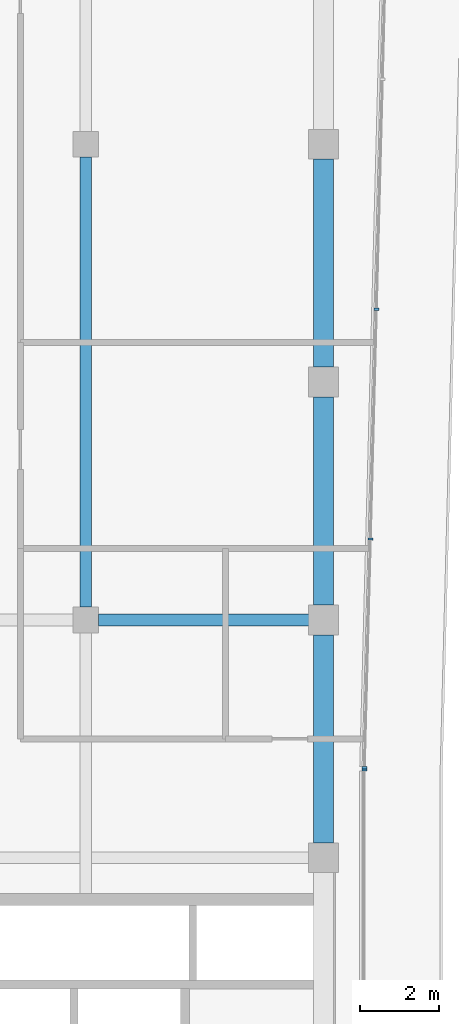
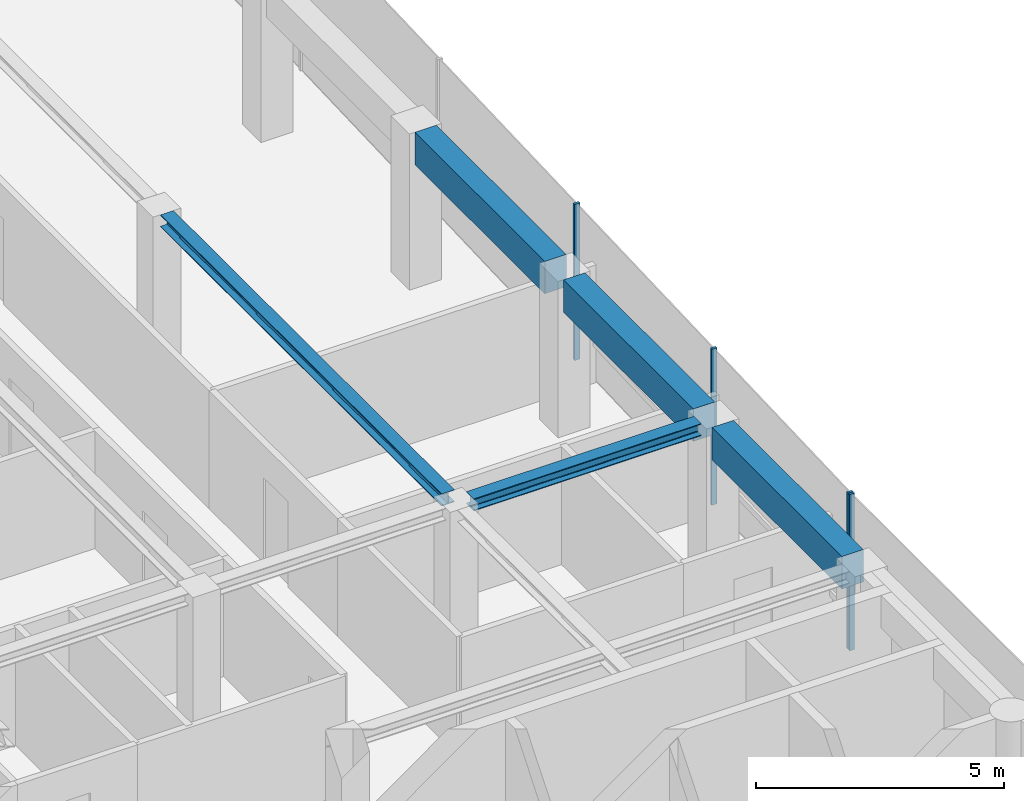
# One storey, part 7 of 18: 5 beams, 4 members, 2 elements without a shape of their own.
"""IFC4 building model written with IfcOpenShell, lengths in metres."""

import ifcopenshell
import ifcopenshell.guid

model = None  # the IFC model being written
_history = None  # IfcOwnerHistory: only IFC2X3 demands one
_inside = {}  # id of a spatial element -> (the spatial element, [elements in it])
_under = {}  # id of a project, library or spatial element -> (it, [spatial elements below it])
_declared = {}  # id of a project -> (the project, [libraries it declares])
_typed = {}  # id of a type object -> (the type object, [elements of that type])
_made_of = {}  # id of a material, layer set ... -> (it, [elements and type objects made of it])


def new_model(schema):
    """Start an empty IFC model of exactly this schema.

    Asked for "IFC4X3", IfcOpenShell would pick the latest addendum, in which some entities
    have other attributes; the version numbers below select the first issue.
    IFC2X3 requires an IfcOwnerHistory on every rooted entity: one is made here for all.
    """
    global model, _history
    if schema == "IFC4X3":
        model = ifcopenshell.file(schema_version=(4, 3, 0, 0))
    else:
        model = ifcopenshell.file(schema=schema)
    _inside.clear()
    _under.clear()
    _declared.clear()
    _typed.clear()
    _made_of.clear()
    _history = None
    if model.schema == "IFC2X3":
        org = make("IfcOrganization", Name="unknown")
        user = make(
            "IfcPersonAndOrganization",
            ThePerson=make("IfcPerson", FamilyName="unknown"),
            TheOrganization=org,
        )
        app = make(
            "IfcApplication",
            ApplicationDeveloper=org,
            Version="unknown",
            ApplicationFullName="unknown",
            ApplicationIdentifier="unknown",
        )
        _history = make(
            "IfcOwnerHistory",
            OwningUser=user,
            OwningApplication=app,
            ChangeAction="ADDED",
            CreationDate=0,
        )
    return model


def make(cls, **values):
    """One entity of the class cls with the attributes given. An attribute that is None is left unset."""
    return model.create_entity(
        cls, **{name: value for name, value in values.items() if value is not None}
    )


def rooted(cls, **values):
    """An entity with a GlobalId (a new one), such as an element, a storey or a relation."""
    return make(cls, GlobalId=ifcopenshell.guid.new(), OwnerHistory=_history, **values)


def si_unit(unit_type, name, prefix=None):
    """IfcSIUnit, for example si_unit("LENGTHUNIT", "METRE", prefix="MILLI")."""
    return make("IfcSIUnit", UnitType=unit_type, Prefix=prefix, Name=name)


def assignment(units):
    """IfcUnitAssignment: the units of a project."""
    return None if units is None else make("IfcUnitAssignment", Units=units)


def point(xyz):
    """IfcCartesianPoint."""
    return None if xyz is None else make("IfcCartesianPoint", Coordinates=xyz)


def direction(xyz):
    """IfcDirection."""
    return None if xyz is None else make("IfcDirection", DirectionRatios=xyz)


def frame(location, z_axis=None, x_axis=None):
    """IfcAxis2Placement3D, a coordinate frame: its origin and axes. An axis left out is left unset."""
    return make(
        "IfcAxis2Placement3D",
        Location=point(location),
        Axis=direction(z_axis),
        RefDirection=direction(x_axis),
    )


def frame_2d(location, x_axis=None):
    """IfcAxis2Placement2D, a coordinate frame in the plane: its origin and x axis."""
    return make(
        "IfcAxis2Placement2D", Location=point(location), RefDirection=direction(x_axis)
    )


def origin():
    """The frame at (0, 0, 0) with its axes left unset."""
    return frame((0.0, 0.0, 0.0))


def origin_2d():
    """The frame at (0, 0) in the plane with its x axis left unset."""
    return frame_2d((0.0, 0.0))


def place(relative_to, where):
    """IfcLocalPlacement: puts the frame where relative to a parent placement (None: the world)."""
    return make(
        "IfcLocalPlacement", PlacementRelTo=relative_to, RelativePlacement=where
    )


def context(
    kind, dimensions, precision=None, world=None, true_north=None, identifier=None
):
    """IfcGeometricRepresentationContext, for example the 3D "Model" context."""
    return make(
        "IfcGeometricRepresentationContext",
        ContextIdentifier=identifier,
        ContextType=kind,
        CoordinateSpaceDimension=dimensions,
        Precision=precision,
        WorldCoordinateSystem=world,
        TrueNorth=true_north,
    )


def subcontext(parent, identifier, kind, view, scale=None):
    """IfcGeometricRepresentationSubContext, for example "Body" below "Model"."""
    return make(
        "IfcGeometricRepresentationSubContext",
        ContextIdentifier=identifier,
        ContextType=kind,
        ParentContext=parent,
        TargetScale=scale,
        TargetView=view,
    )


def project(units=None, contexts=None):
    """IfcProject with its units and contexts."""
    return rooted(
        "IfcProject",
        Name="project",
        RepresentationContexts=contexts,
        UnitsInContext=assignment(units),
    )


def spatial(cls, under=None, at=None, **own):
    """A site, building, storey or space (cls), placed at a placement, below another one or the project."""
    s = rooted(cls, ObjectPlacement=at, **own)
    if under is not None:
        _under.setdefault(under.id(), (under, []))[1].append(s)
    return s


def profile(cls, at=None, kind="AREA", **sizes):
    """A parametric profile (cls). Its sizes go by their IFC names, for example OverallWidth=200.0."""
    return make(cls, ProfileType=kind, Position=at, **sizes)


def rectangle(**sizes):
    """IfcRectangleProfileDef."""
    return profile("IfcRectangleProfileDef", **sizes)


def i_section(**sizes):
    """IfcIShapeProfileDef."""
    return profile("IfcIShapeProfileDef", **sizes)


def extrude(swept, where, along, depth):
    """IfcExtrudedAreaSolid: the profile swept, set in the frame where, extruded along a direction by depth."""
    return make(
        "IfcExtrudedAreaSolid",
        SweptArea=swept,
        Position=where,
        ExtrudedDirection=direction(along),
        Depth=depth,
    )


def shape(context_of_items, identifier, shape_type, items):
    """IfcShapeRepresentation: the items that make up one representation, for example the "Body"."""
    return make(
        "IfcShapeRepresentation",
        ContextOfItems=context_of_items,
        RepresentationIdentifier=identifier,
        RepresentationType=shape_type,
        Items=items,
    )


def material(Name=None, Category=None):
    """IfcMaterial."""
    return make("IfcMaterial", Name=Name, Category=Category)


def layer(
    of_material, thickness, ventilated=None, Name=None, Category=None, Priority=None
):
    """IfcMaterialLayer: one layer of a wall or slab, of a material (None: an air gap)."""
    return make(
        "IfcMaterialLayer",
        Material=of_material,
        LayerThickness=thickness,
        IsVentilated=ventilated,
        Name=Name,
        Category=Category,
        Priority=Priority,
    )


def layer_set(layers, Name=None):
    """IfcMaterialLayerSet."""
    return make("IfcMaterialLayerSet", MaterialLayers=layers, LayerSetName=Name)


def material_profile(
    of_material, cross_section, Name=None, Category=None, Priority=None
):
    """IfcMaterialProfile: a cross section and its material."""
    return make(
        "IfcMaterialProfile",
        Name=Name,
        Material=of_material,
        Profile=cross_section,
        Priority=Priority,
        Category=Category,
    )


def profile_set(profiles, Name=None, composite=None):
    """IfcMaterialProfileSet."""
    return make(
        "IfcMaterialProfileSet",
        Name=Name,
        MaterialProfiles=profiles,
        CompositeProfile=composite,
    )


def made_of(thing, what):
    """Note that an element or type object is made of a material, layer set ...; save() writes the relation."""
    if what is not None:
        _made_of.setdefault(what.id(), (what, []))[1].append(thing)
    return thing


def type_object(cls, material=None, **own):
    """A type object (cls), such as IfcWallType, which elements share."""
    return made_of(rooted(cls, **own), material)


def element(
    cls,
    number,
    at=None,
    inside=None,
    cuts=None,
    type_object=None,
    material=None,
    context=None,
    identifier="Body",
    shape_type=None,
    held_by="IfcProductDefinitionShape",
    body=None,
    shapes=None,
    **own,
):
    """One element of the class cls, such as IfcWall. Its Tag is "e" and its number.

    at: its placement. inside: the storey or other place that contains it. cuts: it is an
    opening in that element (IfcRelVoidsElement). A single representation is given by context,
    identifier, shape_type and body (its items); several are given by shapes. held_by: the class
    of the entity that holds the representations. save() writes the other relations.
    """
    e = rooted(cls, Tag="e%d" % number, ObjectPlacement=at, **own)
    if body is not None:
        shapes = [shape(context, identifier, shape_type, body)]
    if shapes is not None:
        e.Representation = make(held_by, Representations=shapes)
    if inside is not None:
        _inside.setdefault(inside.id(), (inside, []))[1].append(e)
    if cuts is not None:
        rooted(
            "IfcRelVoidsElement", RelatingBuildingElement=cuts, RelatedOpeningElement=e
        )
    if type_object is not None:
        _typed.setdefault(type_object.id(), (type_object, []))[1].append(e)
    return made_of(e, material)


def aggregate(whole, parts):
    """IfcRelAggregates: a whole, such as a stair, and the parts it consists of."""
    return rooted("IfcRelAggregates", RelatingObject=whole, RelatedObjects=parts)


def save(model, path):
    """Write the relations noted so far, then the file.

    IfcRelAggregates (storeys below a building ...), IfcRelContainedInSpatialStructure (elements
    in a storey), IfcRelDefinesByType, IfcRelAssociatesMaterial and IfcRelDeclares: one each for
    every whole, place, type object, material and project.
    """
    for whole, parts in _under.values():
        aggregate(whole, parts)
    for where, things in _inside.values():
        rooted(
            "IfcRelContainedInSpatialStructure",
            RelatedElements=things,
            RelatingStructure=where,
        )
    for kind, things in _typed.values():
        rooted("IfcRelDefinesByType", RelatedObjects=things, RelatingType=kind)
    for what, things in _made_of.values():
        rooted("IfcRelAssociatesMaterial", RelatedObjects=things, RelatingMaterial=what)
    for by, libraries in _declared.values():
        rooted("IfcRelDeclares", RelatingContext=by, RelatedDefinitions=libraries)
    model.write(path)


model = new_model("IFC4")

# Units and contexts
model_context = context("Model", 3, precision=1e-05, world=origin(), true_north=direction((0.0, 1.0)))
body_context = subcontext(model_context, "Body", "Model", "MODEL_VIEW")
ifc_project = project(units=[si_unit("LENGTHUNIT", "METRE"), si_unit("AREAUNIT", "SQUARE_METRE"), si_unit("VOLUMEUNIT", "CUBIC_METRE"), si_unit("PLANEANGLEUNIT", "RADIAN"), si_unit("MASSUNIT", "GRAM", prefix="KILO")], contexts=[model_context])

# Site, building, storey
site_placement = place(None, origin())
site = spatial("IfcSite", under=ifc_project, at=site_placement, CompositionType="ELEMENT")
building_placement = place(site_placement, origin())
building = spatial("IfcBuilding", under=site, at=building_placement, Name="Welwitschia Terrace Campus", CompositionType="ELEMENT")
storey_placement = place(building_placement, frame((0.0, 0.0, 281.0)))
storey = spatial("IfcBuildingStorey", under=building, at=storey_placement, Name="L62", CompositionType="ELEMENT", Elevation=281.0)

# Beams
ifc_material_1 = material(Name="Steel S355", Category="steel")
ifc_material_profile_1 = material_profile(ifc_material_1, i_section(OverallWidth=0.300048828125, OverallDepth=0.300048828125, WebThickness=0.010986328125, FlangeThickness=0.01904296875, FilletRadius=0.027099609375, at=origin_2d()))
ifc_profile_set_1 = profile_set([ifc_material_profile_1], Name="Steel S355")
beam_type_1 = type_object("IfcBeamType", Name="Interior girder HE 300 B", PredefinedType="BEAM", material=ifc_profile_set_1)
beam_1_placement = place(storey_placement, frame((18.325439453125, 32.0, 3.699951171875), z_axis=(1.0, 0.0, 0.0), x_axis=(0.0, 1.0, 0.0)))
element("IfcBeam", 1, at=beam_1_placement, inside=storey, type_object=beam_type_1, Name="Girder GB6", PredefinedType="BEAM", context=body_context, shape_type="SweptSolid", body=[
    extrude(i_section(OverallWidth=0.300048828125, OverallDepth=0.300048828125, WebThickness=0.010986328125, FlangeThickness=0.01904296875, FilletRadius=0.027099609375, at=origin_2d()), origin(), (0.0, 0.0, 1.0), 5.30908203125),
])
beam_2_placement = place(storey_placement, frame((18.0, 32.325439453125, 3.699951171875), z_axis=(0.0, 1.0, 0.0), x_axis=(-1.0, 0.0, 0.0)))
element("IfcBeam", 2, at=beam_2_placement, inside=storey, type_object=beam_type_1, Name="Girder GB6", PredefinedType="BEAM", context=body_context, shape_type="SweptSolid", body=[
    extrude(i_section(OverallWidth=0.300048828125, OverallDepth=0.300048828125, WebThickness=0.010986328125, FlangeThickness=0.01904296875, FilletRadius=0.027099609375, at=origin_2d()), origin(), (0.0, 0.0, 1.0), 11.34912109375),
])

# Curtain wall, member
ifc_material_2 = material(Name="Bronze anodised aluminium", Category="aluminium")
ifc_layer = layer(ifc_material_2, 0.1201171875)
ifc_layer_set = layer_set([ifc_layer], Name="Bronze anodised aluminium")
curtain_wall_type = type_object("IfcCurtainWallType", Name="Curtain wall CW2 tower 6000", PredefinedType="NOTDEFINED", material=ifc_layer_set)
curtain_wall_1_placement = place(storey_placement, origin())
curtain_wall_1 = element("IfcCurtainWall", 3, at=curtain_wall_1_placement, inside=storey, type_object=curtain_wall_type, Name="CW L62.8.0", PredefinedType="NOTDEFINED")
ifc_material_3 = material(Name="Bronze anodised aluminium", Category="aluminium")
ifc_material_profile_2 = material_profile(ifc_material_3, rectangle(XDim=0.1201171875, YDim=0.06005859375, at=origin_2d()))
ifc_profile_set_2 = profile_set([ifc_material_profile_2], Name="Bronze anodised aluminium")
member_type = type_object("IfcMemberType", Name="Mullion 60x120", PredefinedType="MULLION", material=ifc_profile_set_2)
member_1_placement = place(storey_placement, frame((25.030029296875, 28.21337890625, 0.0), z_axis=(0.0, 0.0, 1.0), x_axis=(-1.0, 0.0, 0.0)))
member_1 = element("IfcMember", 4, at=member_1_placement, type_object=member_type, Name="Mullion L62.8.0.1", PredefinedType="MULLION", context=body_context, shape_type="SweptSolid", body=[
    extrude(rectangle(XDim=0.1201171875, YDim=0.06005859375, at=origin_2d()), origin(), (0.0, 0.0, 1.0), 3.85009765625),
])
aggregate(curtain_wall_1, [member_1])

# Curtain wall, members
curtain_wall_2_placement = place(storey_placement, origin())
curtain_wall_2 = element("IfcCurtainWall", 5, at=curtain_wall_2_placement, inside=storey, type_object=curtain_wall_type, Name="CW L62.9.0", PredefinedType="NOTDEFINED")
member_2_placement = place(storey_placement, frame((25.03076171875, 28.2734375, 0.0), z_axis=(0.0, 0.0, 1.0), x_axis=(-0.999657324976, 0.026176948308, 0.0)))
member_2 = element("IfcMember", 6, at=member_2_placement, type_object=member_type, Name="Mullion L62.9.0.0", PredefinedType="MULLION", context=body_context, shape_type="SweptSolid", body=[
    extrude(rectangle(XDim=0.1201171875, YDim=0.06005859375, at=origin_2d()), origin(), (0.0, 0.0, 1.0), 3.85009765625),
])
member_3_placement = place(storey_placement, frame((25.181884765625, 34.041015625, 0.0), z_axis=(0.0, 0.0, 1.0), x_axis=(-0.999657324976, 0.026176948308, 0.0)))
member_3 = element("IfcMember", 7, at=member_3_placement, type_object=member_type, Name="Mullion L62.9.0.1", PredefinedType="MULLION", context=body_context, shape_type="SweptSolid", body=[
    extrude(rectangle(XDim=0.1201171875, YDim=0.06005859375, at=origin_2d()), origin(), (0.0, 0.0, 1.0), 3.85009765625),
])
member_4_placement = place(storey_placement, frame((25.333740234375, 39.8388671875, 0.0), z_axis=(0.0, 0.0, 1.0), x_axis=(-0.999657324976, 0.026176948308, 0.0)))
member_4 = element("IfcMember", 8, at=member_4_placement, type_object=member_type, Name="Mullion L62.9.0.2", PredefinedType="MULLION", context=body_context, shape_type="SweptSolid", body=[
    extrude(rectangle(XDim=0.1201171875, YDim=0.06005859375, at=origin_2d()), origin(), (0.0, 0.0, 1.0), 3.85009765625),
])
aggregate(curtain_wall_2, [member_2, member_3, member_4])

# Beams
ifc_material_4 = material(Name="Concrete C50/60", Category="concrete")
ifc_material_profile_3 = material_profile(ifc_material_4, rectangle(XDim=0.5, YDim=0.800048828125, at=origin_2d()))
ifc_profile_set_3 = profile_set([ifc_material_profile_3], Name="Concrete C50/60")
beam_type_2 = type_object("IfcBeamType", Name="Ring spandrel 500x800", PredefinedType="SPANDREL", material=ifc_profile_set_3)
for number, where, z_axis, x_axis, name in (
    (9, (24.0, 26.37548828125, 3.449951171875), (0.0, 1.0, 0.0), (-1.0, 0.0, 0.0), "Spandrel SP4"),
    (10, (24.0, 32.37548828125, 3.449951171875), (0.0, 1.0, 0.0), (-1.0, 0.0, 0.0), "Spandrel SP4"),
    (11, (24.0, 38.37548828125, 3.449951171875), (0.0, 1.0, 0.0), (-1.0, 0.0, 0.0), "Spandrel SP4"),
):
    element("IfcBeam", number, at=place(storey_placement, frame(where, z_axis=z_axis, x_axis=x_axis)), inside=storey, type_object=beam_type_2, Name=name, PredefinedType="SPANDREL", context=body_context, shape_type="SweptSolid", body=[
        extrude(rectangle(XDim=0.5, YDim=0.800048828125, at=origin_2d()), origin(), (0.0, 0.0, 1.0), 5.2490234375),
    ])

save(model, "model.ifc")
